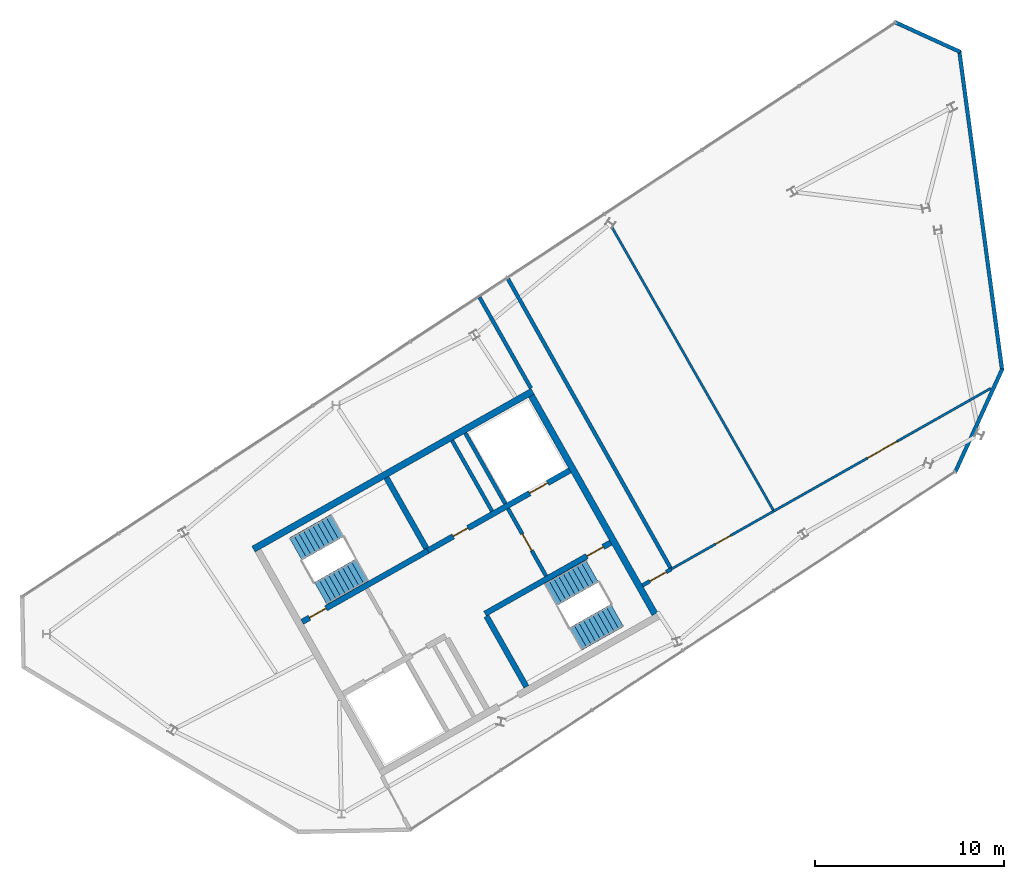
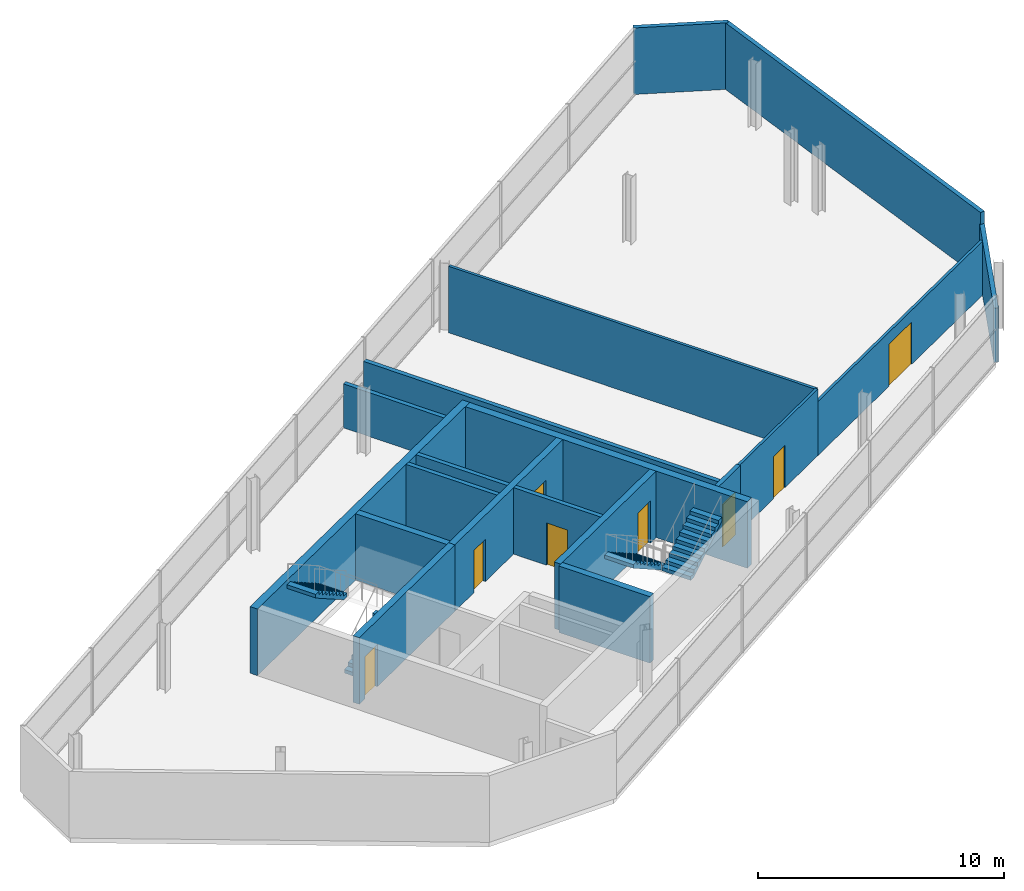
# One storey, part 7 of 8: 19 walls, 8 doors, 4 stair flights, 8 openings, 2 elements without a shape of their own.
"""IFC4 building model written with IfcOpenShell, lengths in metres."""

from ifc_helpers import new_model, si_unit, direction, frame, frame_2d, origin, place, context, subcontext, project, spatial, polyline, rectangle, outline, extrude, material, layer, layer_set, type_object, element, fill, aggregate, save


model = new_model("IFC4")

# Units and contexts
model_context = context("Model", 3, precision=1e-05, world=origin(), true_north=direction((0.0, 1.0)))
body_context = subcontext(model_context, "Body", "Model", "MODEL_VIEW")
ifc_project = project(units=[si_unit("LENGTHUNIT", "METRE"), si_unit("AREAUNIT", "SQUARE_METRE"), si_unit("VOLUMEUNIT", "CUBIC_METRE"), si_unit("PLANEANGLEUNIT", "RADIAN"), si_unit("MASSUNIT", "GRAM", prefix="KILO")], contexts=[model_context])

# Site, building, storey
site_placement = place(None, origin())
site = spatial("IfcSite", under=ifc_project, at=site_placement, CompositionType="ELEMENT")
building_placement = place(site_placement, origin())
building = spatial("IfcBuilding", under=site, at=building_placement, Name="Binnacle Exchange Tower", CompositionType="ELEMENT")
storey_placement = place(building_placement, frame((0.0, 0.0, 357.699951171875)))
storey = spatial("IfcBuildingStorey", under=building, at=storey_placement, Name="L82", CompositionType="ELEMENT", Elevation=357.699951171875)

# Wall, openings, doors
ifc_material_1 = material(Name="Concrete C70/85", Category="concrete")
ifc_layer_1 = layer(ifc_material_1, 0.300048828125)
ifc_layer_set_1 = layer_set([ifc_layer_1], Name="Core wall - front 300")
wall_type_1 = type_object("IfcWallType", Name="Core wall - front 300", PredefinedType="SOLIDWALL", material=ifc_layer_set_1)
wall_1_placement = place(storey_placement, frame((-37.281982421875, 41.4345703125, 0.0), z_axis=(0.0, 0.0, 1.0), x_axis=(0.870364588774, 0.492407841741, 0.0)))
wall_1 = element("IfcWall", 1, at=wall_1_placement, inside=storey, type_object=wall_type_1, Name="Core wall CRWA5", PredefinedType="SOLIDWALL", context=body_context, shape_type="SweptSolid", body=[
    extrude(rectangle(XDim=8.64990234375, YDim=0.300048828125, at=frame_2d((4.324951171875, 0.0))), origin(), (0.0, 0.0, 1.0), 3.300048828125),
])
opening_1_placement = place(wall_1_placement, frame((6.199951171875, 0.0, 0.0)))
opening_1 = element("IfcOpeningElement", 2, at=opening_1_placement, cuts=wall_1, Name="Opening LD13", PredefinedType="OPENING", context=body_context, shape_type="SweptSolid", body=[
    extrude(rectangle(XDim=1.10009765625, YDim=2.10009765625, at=frame_2d((0.550048828125, 1.050048828125))), frame((0.0, 0.159912109375, 0.0), z_axis=(0.0, -1.0, 0.0), x_axis=(1.0, 0.0, 0.0)), (0.0, 0.0, 1.0), 0.320068359375),
])
opening_2_placement = place(wall_1_placement, frame((1.550048828125, 0.0, 0.0)))
opening_2 = element("IfcOpeningElement", 3, at=opening_2_placement, cuts=wall_1, Name="Opening DA10", PredefinedType="OPENING", context=body_context, shape_type="SweptSolid", body=[
    extrude(rectangle(XDim=0.89990234375, YDim=2.10009765625, at=frame_2d((0.449951171875, 1.050048828125))), frame((0.0, 0.159912109375, 0.0), z_axis=(0.0, -1.0, 0.0), x_axis=(1.0, 0.0, 0.0)), (0.0, 0.0, 1.0), 0.320068359375),
])
ifc_material_2 = material(Name="Steel door leaf", Category="steel")
door_type_1 = type_object("IfcDoorType", Name="Fire door - lift landing 1100", OperationType="NOTDEFINED", PredefinedType="DOOR", material=ifc_material_2)
door_1_placement = place(opening_1_placement, origin())
door_1 = element("IfcDoor", 4, at=door_1_placement, inside=storey, type_object=door_type_1, Name="Landing door LD13 L82", OperationType="DOUBLE_DOOR_SLIDING", OverallHeight=2.10009765625, OverallWidth=1.10009765625, PredefinedType="DOOR", context=body_context, shape_type="SweptSolid", body=[
    extrude(rectangle(XDim=1.10009765625, YDim=2.10009765625, at=frame_2d((0.550048828125, 1.050048828125))), frame((0.0, 0.02490234375, 0.0), z_axis=(0.0, -1.0, 0.0), x_axis=(1.0, 0.0, 0.0)), (0.0, 0.0, 1.0), 0.050048828125),
])
fill(opening_1, door_1)
door_type_2 = type_object("IfcDoorType", Name="Fire door 900", OperationType="NOTDEFINED", PredefinedType="DOOR", material=ifc_material_2)
door_2_placement = place(opening_2_placement, origin())
door_2 = element("IfcDoor", 5, at=door_2_placement, inside=storey, type_object=door_type_2, Name="Core room door EQUIPMENT STORE", OperationType="SINGLE_SWING_LEFT", OverallHeight=2.10009765625, OverallWidth=0.89990234375, PredefinedType="DOOR", context=body_context, shape_type="SweptSolid", body=[
    extrude(rectangle(XDim=0.89990234375, YDim=2.10009765625, at=frame_2d((0.449951171875, 1.050048828125))), frame((0.0, 0.02490234375, 0.0), z_axis=(0.0, -1.0, 0.0), x_axis=(1.0, 0.0, 0.0)), (0.0, 0.0, 1.0), 0.050048828125),
])
fill(opening_2, door_2)

# Walls
ifc_layer_2 = layer(ifc_material_1, 0.35009765625)
ifc_layer_set_2 = layer_set([ifc_layer_2], Name="Core wall - outer 350")
wall_type_2 = type_object("IfcWallType", Name="Core wall - outer 350", PredefinedType="SOLIDWALL", material=ifc_layer_set_2)
wall_2_placement = place(storey_placement, frame((-46.5224609375, 41.5205078125, 0.0), z_axis=(0.0, 0.0, 1.0), x_axis=(0.870359753402, 0.492416388494, 0.0)))
element("IfcWall", 6, at=wall_2_placement, inside=storey, type_object=wall_type_2, Name="Core wall CRWA6", PredefinedType="SOLIDWALL", context=body_context, shape_type="SweptSolid", body=[
    extrude(rectangle(XDim=17.0, YDim=0.35009765625, at=frame_2d((8.5, 0.0))), origin(), (0.0, 0.0, 1.0), 3.300048828125),
])
wall_3_placement = place(storey_placement, frame((-31.79248046875, 49.6533203125, 0.0), z_axis=(0.0, 0.0, 1.0), x_axis=(0.492421943245, -0.870356610712, 0.0)))
element("IfcWall", 7, at=wall_3_placement, inside=storey, type_object=wall_type_2, Name="Core wall CRWA22", PredefinedType="SOLIDWALL", context=body_context, shape_type="SweptSolid", body=[
    extrude(rectangle(XDim=13.30029296875, YDim=0.35009765625, at=frame_2d((6.650146484375, 0.0))), origin(), (0.0, 0.0, 1.0), 3.300048828125),
])

# Wall, opening, door
ifc_layer_3 = layer(ifc_material_1, 0.300048828125)
ifc_layer_set_3 = layer_set([ifc_layer_3], Name="Core wall - stair 300")
wall_type_3 = type_object("IfcWallType", Name="Core wall - stair 300", PredefinedType="SOLIDWALL", material=ifc_layer_set_3)
wall_4_placement = place(storey_placement, frame((-34.2451171875, 38.097412109375, 0.0), z_axis=(0.0, 0.0, 1.0), x_axis=(0.870352347706, 0.49242947804, 0.0)))
wall_4 = element("IfcWall", 8, at=wall_4_placement, inside=storey, type_object=wall_type_3, Name="Core wall CRWA3", PredefinedType="SOLIDWALL", context=body_context, shape_type="SweptSolid", body=[
    extrude(rectangle(XDim=7.64990234375, YDim=0.300048828125, at=frame_2d((3.824951171875, 0.0))), origin(), (0.0, 0.0, 1.0), 3.300048828125),
])
opening_3_placement = place(wall_4_placement, frame((6.199951171875, 0.0, 0.0)))
opening_3 = element("IfcOpeningElement", 9, at=opening_3_placement, cuts=wall_4, Name="Opening DA2", PredefinedType="OPENING", context=body_context, shape_type="SweptSolid", body=[
    extrude(rectangle(XDim=1.0, YDim=2.10009765625, at=frame_2d((0.5, 1.050048828125))), frame((0.0, 0.159912109375, 0.0), z_axis=(0.0, -1.0, 0.0), x_axis=(1.0, 0.0, 0.0)), (0.0, 0.0, 1.0), 0.320068359375),
])
door_type_3 = type_object("IfcDoorType", Name="Fire door 1000", OperationType="NOTDEFINED", PredefinedType="DOOR", material=ifc_material_2)
door_3_placement = place(opening_3_placement, frame((1.0, 0.0, 0.0), z_axis=(0.0, 0.0, 1.0), x_axis=(-1.0, 0.0, 0.0)))
door_3 = element("IfcDoor", 10, at=door_3_placement, inside=storey, type_object=door_type_3, Name="Stair door ST-A2", OperationType="SINGLE_SWING_LEFT", OverallHeight=2.10009765625, OverallWidth=1.0, PredefinedType="DOOR", context=body_context, shape_type="SweptSolid", body=[
    extrude(rectangle(XDim=1.0, YDim=2.10009765625, at=frame_2d((0.5, 1.050048828125))), frame((0.0, 0.02490234375, 0.0), z_axis=(0.0, -1.0, 0.0), x_axis=(1.0, 0.0, 0.0)), (0.0, 0.0, 1.0), 0.050048828125),
])
fill(opening_3, door_3)

wall_5_placement = place(storey_placement, frame((-43.940185546875, 37.66748046875, 0.0), z_axis=(0.0, 0.0, 1.0), x_axis=(0.870352347706, 0.49242947804, 0.0)))
wall_5 = element("IfcWall", 11, at=wall_5_placement, inside=storey, type_object=wall_type_3, Name="Core wall CRWA4", PredefinedType="SOLIDWALL", context=body_context, shape_type="SweptSolid", body=[
    extrude(rectangle(XDim=7.64990234375, YDim=0.300048828125, at=frame_2d((3.824951171875, 0.0))), origin(), (0.0, 0.0, 1.0), 3.300048828125),
])
opening_4_placement = place(wall_5_placement, frame((0.449951171875, 0.0, 0.0)))
opening_4 = element("IfcOpeningElement", 12, at=opening_4_placement, cuts=wall_5, Name="Opening DA1", PredefinedType="OPENING", context=body_context, shape_type="SweptSolid", body=[
    extrude(rectangle(XDim=1.0, YDim=2.10009765625, at=frame_2d((0.5, 1.050048828125))), frame((0.0, 0.159912109375, 0.0), z_axis=(0.0, -1.0, 0.0), x_axis=(1.0, 0.0, 0.0)), (0.0, 0.0, 1.0), 0.320068359375),
])
door_4_placement = place(opening_4_placement, origin())
door_4 = element("IfcDoor", 13, at=door_4_placement, inside=storey, type_object=door_type_3, Name="Stair door ST-A1", OperationType="SINGLE_SWING_LEFT", OverallHeight=2.10009765625, OverallWidth=1.0, PredefinedType="DOOR", context=body_context, shape_type="SweptSolid", body=[
    extrude(rectangle(XDim=1.0, YDim=2.10009765625, at=frame_2d((0.5, 1.050048828125))), frame((0.0, 0.02490234375, 0.0), z_axis=(0.0, -1.0, 0.0), x_axis=(1.0, 0.0, 0.0)), (0.0, 0.0, 1.0), 0.050048828125),
])
fill(opening_4, door_4)

# Walls
wall_6_placement = place(storey_placement, frame((-39.473388671875, 45.3076171875, 0.0), z_axis=(0.0, 0.0, 1.0), x_axis=(0.492410799949, -0.870362915164, 0.0)))
element("IfcWall", 14, at=wall_6_placement, inside=storey, type_object=wall_type_3, Name="Core wall CRWA14", PredefinedType="SOLIDWALL", context=body_context, shape_type="SweptSolid", body=[
    extrude(rectangle(XDim=4.300048828125, YDim=0.300048828125, at=frame_2d((2.14990234375, 0.0))), origin(), (0.0, 0.0, 1.0), 3.300048828125),
])
wall_7_placement = place(storey_placement, frame((-34.171142578125, 37.966796875, 0.0), z_axis=(0.0, 0.0, 1.0), x_axis=(0.492435133428, -0.870349147967, 0.0)))
element("IfcWall", 15, at=wall_7_placement, inside=storey, type_object=wall_type_3, Name="Core wall CRWA16", PredefinedType="SOLIDWALL", context=body_context, shape_type="SweptSolid", body=[
    extrude(rectangle(XDim=4.2998046875, YDim=0.300048828125, at=frame_2d((2.14990234375, 0.0))), origin(), (0.0, 0.0, 1.0), 3.300048828125),
])
ifc_material_3 = material(Name="Bronze aluminium louvre", Category="aluminium")
ifc_layer_4 = layer(ifc_material_3, 0.199951171875)
ifc_layer_set_4 = layer_set([ifc_layer_4], Name="External wall - crown louvre 200")
wall_type_4 = type_object("IfcWallType", Name="External wall - crown louvre 200", PredefinedType="STANDARD", material=ifc_layer_set_4)
wall_8_placement = place(storey_placement, frame((-6.834228515625, 51.069091796875, 0.0), z_axis=(0.0, 0.0, 1.0), x_axis=(-0.415043982488, -0.909801347878, 0.0)))
element("IfcWall", 16, at=wall_8_placement, inside=storey, type_object=wall_type_4, Name="External wall EW-C200 L82", PredefinedType="STANDARD", context=body_context, shape_type="SweptSolid", body=[
    extrude(rectangle(XDim=6.030517578125, YDim=0.199951171875, at=frame_2d((3.01513671875, 0.0))), origin(), (0.0, 0.0, 1.0), 2.699951171875),
])
wall_9_placement = place(storey_placement, frame((-9.113525390625, 67.94677734375, 0.0), z_axis=(0.0, 0.0, 1.0), x_axis=(0.132931254717, -0.991125260257, 0.0)))
element("IfcWall", 17, at=wall_9_placement, inside=storey, type_object=wall_type_4, Name="External wall EW-C201 L82", PredefinedType="STANDARD", context=body_context, shape_type="SweptSolid", body=[
    extrude(rectangle(XDim=17.083984375, YDim=0.199951171875, at=frame_2d((8.5419921875, 0.0))), origin(), (0.0, 0.0, 1.0), 3.300048828125),
])
wall_10_placement = place(storey_placement, frame((-12.5732421875, 69.4736328125, 0.0), z_axis=(0.0, 0.0, 1.0), x_axis=(0.909798966616, -0.415049202318, 0.0)))
element("IfcWall", 18, at=wall_10_placement, inside=storey, type_object=wall_type_4, Name="External wall EW-C202 L82", PredefinedType="STANDARD", context=body_context, shape_type="SweptSolid", body=[
    extrude(rectangle(XDim=3.86572265625, YDim=0.199951171875, at=frame_2d((1.932861328125, 0.0))), origin(), (0.0, 0.0, 1.0), 3.300048828125),
])
ifc_material_4 = material(Name="Masonry block wall", Category="masonry")
ifc_layer_5 = layer(ifc_material_4, 0.199951171875)
ifc_layer_set_5 = layer_set([ifc_layer_5], Name="Fire wall - block 200")
wall_type_5 = type_object("IfcWallType", Name="Fire wall - block 200", PredefinedType="PARTITIONING", material=ifc_layer_set_5)
wall_11_placement = place(storey_placement, frame((-34.5439453125, 54.873046875, 0.0), z_axis=(0.0, 0.0, 1.0), x_axis=(0.492390708412, -0.870374281714, 0.0)))
element("IfcWall", 19, at=wall_11_placement, inside=storey, type_object=wall_type_5, Name="Partition W02", PredefinedType="PARTITIONING", context=body_context, shape_type="SweptSolid", body=[
    extrude(rectangle(XDim=5.54833984375, YDim=0.199951171875, at=frame_2d((2.774169921875, 0.0))), origin(), (0.0, 0.0, 1.0), 2.179931640625),
])
wall_12_placement = place(storey_placement, frame((-33.0419921875, 55.860107421875, 0.0), z_axis=(0.0, 0.0, 1.0), x_axis=(0.490288138745, -0.871560405828, 0.0)))
element("IfcWall", 20, at=wall_12_placement, inside=storey, type_object=wall_type_5, Name="Partition W03", PredefinedType="PARTITIONING", context=body_context, shape_type="SweptSolid", body=[
    extrude(rectangle(XDim=17.66748046875, YDim=0.199951171875, at=frame_2d((8.833740234375, 0.0))), origin(), (0.0, 0.0, 1.0), 2.179931640625),
])

# Wall, opening, door
wall_13_placement = place(storey_placement, frame((-25.904052734375, 39.60009765625, 0.0), z_axis=(0.0, 0.0, 1.0), x_axis=(0.870482323294, 0.492199679838, 0.0)))
wall_13 = element("IfcWall", 21, at=wall_13_placement, inside=storey, type_object=wall_type_5, Name="Partition W05", PredefinedType="PARTITIONING", context=body_context, shape_type="SweptSolid", body=[
    extrude(rectangle(XDim=1.7509765625, YDim=0.199951171875, at=frame_2d((0.87548828125, 0.0))), origin(), (0.0, 0.0, 1.0), 3.300048828125),
])
opening_5_placement = place(wall_13_placement, frame((0.449951171875, 0.0, 0.0)))
opening_5 = element("IfcOpeningElement", 22, at=opening_5_placement, cuts=wall_13, Name="Opening DL81-01", PredefinedType="OPENING", context=body_context, shape_type="SweptSolid", body=[
    extrude(rectangle(XDim=1.0, YDim=2.10009765625, at=frame_2d((0.5, 1.050048828125))), frame((0.0, 0.10986328125, 0.0), z_axis=(0.0, -1.0, 0.0), x_axis=(1.0, 0.0, 0.0)), (0.0, 0.0, 1.0), 0.219970703125),
])
door_5_placement = place(opening_5_placement, origin())
door_5 = element("IfcDoor", 23, at=door_5_placement, inside=storey, type_object=door_type_3, Name="Door DL81-01", OperationType="SINGLE_SWING_RIGHT", OverallHeight=2.10009765625, OverallWidth=1.0, PredefinedType="DOOR", context=body_context, shape_type="SweptSolid", body=[
    extrude(rectangle(XDim=1.0, YDim=2.10009765625, at=frame_2d((0.5, 1.050048828125))), frame((0.0, 0.02490234375, 0.0), z_axis=(0.0, -1.0, 0.0), x_axis=(1.0, 0.0, 0.0)), (0.0, 0.0, 1.0), 0.050048828125),
])
fill(opening_5, door_5)

ifc_layer_6 = layer(ifc_material_4, 0.199951171875)
ifc_layer_set_6 = layer_set([ifc_layer_6], Name="Fire wall - vestibule 200")
wall_type_6 = type_object("IfcWallType", Name="Fire wall - vestibule 200", PredefinedType="PARTITIONING", material=ifc_layer_set_6)
wall_14_placement = place(storey_placement, frame((-33.030517578125, 43.66748046875, 0.0), z_axis=(0.0, 0.0, 1.0), x_axis=(0.492408451753, -0.87036424366, 0.0)))
wall_14 = element("IfcWall", 24, at=wall_14_placement, inside=storey, type_object=wall_type_6, Name="Core wall CRWA19", PredefinedType="PARTITIONING", context=body_context, shape_type="SweptSolid", body=[
    extrude(rectangle(XDim=4.099853515625, YDim=0.199951171875, at=frame_2d((2.0498046875, 0.0))), origin(), (0.0, 0.0, 1.0), 3.300048828125),
])
opening_6_placement = place(wall_14_placement, frame((1.550048828125, 0.0, 0.0)))
opening_6 = element("IfcOpeningElement", 25, at=opening_6_placement, cuts=wall_14, Name="Opening DA4", PredefinedType="OPENING", context=body_context, shape_type="SweptSolid", body=[
    extrude(rectangle(XDim=1.0, YDim=2.10009765625, at=frame_2d((0.5, 1.050048828125))), frame((0.0, 0.10986328125, 0.0), z_axis=(0.0, -1.0, 0.0), x_axis=(1.0, 0.0, 0.0)), (0.0, 0.0, 1.0), 0.219970703125),
])
door_6_placement = place(opening_6_placement, origin())
door_6 = element("IfcDoor", 26, at=door_6_placement, inside=storey, type_object=door_type_3, Name="Vestibule door VEST-E", OperationType="SINGLE_SWING_RIGHT", OverallHeight=2.10009765625, OverallWidth=1.0, PredefinedType="DOOR", context=body_context, shape_type="SweptSolid", body=[
    extrude(rectangle(XDim=1.0, YDim=2.10009765625, at=frame_2d((0.5, 1.050048828125))), frame((0.0, 0.02490234375, 0.0), z_axis=(0.0, -1.0, 0.0), x_axis=(1.0, 0.0, 0.0)), (0.0, 0.0, 1.0), 0.050048828125),
])
fill(opening_6, door_6)

# Wall
ifc_material_5 = material(Name="Gypsum partition")
ifc_layer_7 = layer(ifc_material_5, 0.125)
ifc_layer_set_7 = layer_set([ifc_layer_7], Name="Partition 125")
wall_type_7 = type_object("IfcWallType", Name="Partition 125", PredefinedType="PARTITIONING", material=ifc_layer_set_7)
wall_15_placement = place(storey_placement, frame((-27.510986328125, 58.56396484375, 0.0), z_axis=(0.0, 0.0, 1.0), x_axis=(0.495459338806, -0.868631132063, 0.0)))
element("IfcWall", 27, at=wall_15_placement, inside=storey, type_object=wall_type_7, Name="Partition W04", PredefinedType="PARTITIONING", context=body_context, shape_type="SweptSolid", body=[
    extrude(rectangle(XDim=17.297119140625, YDim=0.125, at=frame_2d((8.6484375, 0.0))), origin(), (0.0, 0.0, 1.0), 3.300048828125),
])

# Wall, opening, door
wall_16_placement = place(storey_placement, frame((-24.3798828125, 40.4619140625, 0.0), z_axis=(0.0, 0.0, 1.0), x_axis=(0.87036048388, 0.492415097353, 0.0)))
wall_16 = element("IfcWall", 28, at=wall_16_placement, inside=storey, type_object=wall_type_7, Name="Partition W06", PredefinedType="PARTITIONING", context=body_context, shape_type="SweptSolid", body=[
    extrude(rectangle(XDim=6.2490234375, YDim=0.125, at=frame_2d((3.12451171875, 0.0))), origin(), (0.0, 0.0, 1.0), 3.300048828125),
])
opening_7_placement = place(wall_16_placement, frame((2.699951171875, 0.0, 0.0)))
opening_7 = element("IfcOpeningElement", 29, at=opening_7_placement, cuts=wall_16, Name="Opening DL81-02", PredefinedType="OPENING", context=body_context, shape_type="SweptSolid", body=[
    extrude(rectangle(XDim=0.89990234375, YDim=2.10009765625, at=frame_2d((0.449951171875, 1.050048828125))), frame((0.0, 0.072509765625, 0.0), z_axis=(0.0, -1.0, 0.0), x_axis=(1.0, 0.0, 0.0)), (0.0, 0.0, 1.0), 0.14501953125),
])
ifc_material_6 = material(Name="Timber door leaf", Category="wood")
door_type_4 = type_object("IfcDoorType", Name="Door 900", OperationType="NOTDEFINED", PredefinedType="DOOR", material=ifc_material_6)
door_7_placement = place(opening_7_placement, origin())
door_7 = element("IfcDoor", 30, at=door_7_placement, inside=storey, type_object=door_type_4, Name="Door DL81-02", OperationType="SINGLE_SWING_RIGHT", OverallHeight=2.10009765625, OverallWidth=0.89990234375, PredefinedType="DOOR", context=body_context, shape_type="SweptSolid", body=[
    extrude(rectangle(XDim=0.89990234375, YDim=2.10009765625, at=frame_2d((0.449951171875, 1.050048828125))), frame((0.0, 0.02490234375, 0.0), z_axis=(0.0, -1.0, 0.0), x_axis=(1.0, 0.0, 0.0)), (0.0, 0.0, 1.0), 0.050048828125),
])
fill(opening_7, door_7)

wall_17_placement = place(storey_placement, frame((-18.94091796875, 43.5390625, 0.0), z_axis=(0.0, 0.0, 1.0), x_axis=(0.870355301806, 0.492424256733, 0.0)))
wall_17 = element("IfcWall", 31, at=wall_17_placement, inside=storey, type_object=wall_type_7, Name="Partition W07", PredefinedType="PARTITIONING", context=body_context, shape_type="SweptSolid", body=[
    extrude(rectangle(XDim=13.21630859375, YDim=0.125, at=frame_2d((6.608154296875, 0.0))), origin(), (0.0, 0.0, 1.0), 2.679931640625),
])
opening_8_placement = place(wall_17_placement, frame((5.699951171875, 0.0, 0.0)))
opening_8 = element("IfcOpeningElement", 32, at=opening_8_placement, cuts=wall_17, Name="Opening DL81-03", PredefinedType="OPENING", context=body_context, shape_type="SweptSolid", body=[
    extrude(rectangle(XDim=1.800048828125, YDim=2.10009765625, at=frame_2d((0.89990234375, 1.050048828125))), frame((0.0, 0.072509765625, 0.0), z_axis=(0.0, -1.0, 0.0), x_axis=(1.0, 0.0, 0.0)), (0.0, 0.0, 1.0), 0.14501953125),
])
door_type_5 = type_object("IfcDoorType", Name="Double door 1800", OperationType="NOTDEFINED", PredefinedType="DOOR", material=ifc_material_6)
door_8_placement = place(opening_8_placement, origin())
door_8 = element("IfcDoor", 33, at=door_8_placement, inside=storey, type_object=door_type_5, Name="Door DL81-03", OperationType="DOUBLE_DOOR_SINGLE_SWING", OverallHeight=2.10009765625, OverallWidth=1.800048828125, PredefinedType="DOOR", context=body_context, shape_type="SweptSolid", body=[
    extrude(rectangle(XDim=1.800048828125, YDim=2.10009765625, at=frame_2d((0.89990234375, 1.050048828125))), frame((0.0, 0.02490234375, 0.0), z_axis=(0.0, -1.0, 0.0), x_axis=(1.0, 0.0, 0.0)), (0.0, 0.0, 1.0), 0.050048828125),
])
fill(opening_8, door_8)

# Walls
ifc_layer_8 = layer(ifc_material_4, 0.199951171875)
ifc_layer_set_8 = layer_set([ifc_layer_8], Name="Riser wall 200")
wall_type_8 = type_object("IfcWallType", Name="Riser wall 200", PredefinedType="SOLIDWALL", material=ifc_layer_set_8)
wall_18_placement = place(storey_placement, frame((-35.991943359375, 47.27734375, 0.0), z_axis=(0.0, 0.0, 1.0), x_axis=(0.492410799949, -0.870362915164, 0.0)))
element("IfcWall", 34, at=wall_18_placement, inside=storey, type_object=wall_type_8, Name="Core wall CRWA18", PredefinedType="SOLIDWALL", context=body_context, shape_type="SweptSolid", body=[
    extrude(rectangle(XDim=4.300048828125, YDim=0.199951171875, at=frame_2d((2.14990234375, 0.0))), origin(), (0.0, 0.0, 1.0), 3.300048828125),
])
wall_19_placement = place(storey_placement, frame((-35.295654296875, 47.671142578125, 0.0), z_axis=(0.0, 0.0, 1.0), x_axis=(0.492435133428, -0.870349147967, 0.0)))
element("IfcWall", 35, at=wall_19_placement, inside=storey, type_object=wall_type_8, Name="Core wall CRWA20", PredefinedType="SOLIDWALL", context=body_context, shape_type="SweptSolid", body=[
    extrude(rectangle(XDim=4.2998046875, YDim=0.199951171875, at=frame_2d((2.14990234375, 0.0))), origin(), (0.0, 0.0, 1.0), 3.300048828125),
])

# Stair, stair flights
ifc_material_7 = material(Name="Concrete C35/45", Category="concrete")
stair_type = type_object("IfcStairType", Name="STAIR 20 RISERS 180", PredefinedType="HALF_TURN_STAIR", material=ifc_material_7)
stair_1_placement = place(storey_placement, origin())
stair_1 = element("IfcStair", 36, at=stair_1_placement, inside=storey, type_object=stair_type, Name="L82 Escape stair A1", PredefinedType="HALF_TURN_STAIR")
stair_flight_type = type_object("IfcStairFlightType", Name="STAIR FLIGHT 180X280", PredefinedType="STRAIGHT", material=ifc_material_7)
stair_flight_1_placement = place(storey_placement, frame((-42.9541015625, 39.17333984375, 0.0), z_axis=(0.0, 0.0, 1.0), x_axis=(0.870355584213, 0.492423757581, 0.0)))
stair_flight_1 = element("IfcStairFlight", 37, at=stair_flight_1_placement, type_object=stair_flight_type, Name="STA1 flight 1", NumberOfRisers=10, NumberOfTreads=9, PredefinedType="STRAIGHT", RiserHeight=0.18, TreadLength=0.28, context=body_context, shape_type="SweptSolid", body=[
    extrude(outline(polyline([(0.0, 0.0), (0.0, 0.179931640625), (0.280029296875, 0.179931640625), (0.280029296875, 0.360107421875), (0.56005859375, 0.360107421875), (0.56005859375, 0.5400390625), (0.840087890625, 0.5400390625), (0.840087890625, 0.719970703125), (1.1201171875, 0.719970703125), (1.1201171875, 0.89990234375), (1.39990234375, 0.89990234375), (1.39990234375, 1.080078125), (1.679931640625, 1.080078125), (1.679931640625, 1.260009765625), (1.9599609375, 1.260009765625), (1.9599609375, 1.43994140625), (2.239990234375, 1.43994140625), (2.239990234375, 1.6201171875), (2.52001953125, 1.6201171875), (2.52001953125, 1.800048828125), (2.52001953125, 1.44189453125), (0.277099609375, 0.0), (0.0, 0.0)])), frame((0.0, 0.675048828125, 0.0), z_axis=(0.0, -1.0, 0.0), x_axis=(1.0, 0.0, 0.0)), (0.0, 0.0, 1.0), 1.35009765625),
])
stair_flight_2_placement = place(storey_placement, frame((-42.09033203125, 42.76416015625, 1.800048828125), z_axis=(0.0, 0.0, 1.0), x_axis=(-0.870355584213, -0.492423757581, 0.0)))
stair_flight_2 = element("IfcStairFlight", 38, at=stair_flight_2_placement, type_object=stair_flight_type, Name="STA1 flight 2", NumberOfRisers=10, NumberOfTreads=9, PredefinedType="STRAIGHT", RiserHeight=0.18, TreadLength=0.28, context=body_context, shape_type="SweptSolid", body=[
    extrude(outline(polyline([(0.0, 0.0), (0.0, 0.179931640625), (0.280029296875, 0.179931640625), (0.280029296875, 0.360107421875), (0.56005859375, 0.360107421875), (0.56005859375, 0.5400390625), (0.840087890625, 0.5400390625), (0.840087890625, 0.719970703125), (1.1201171875, 0.719970703125), (1.1201171875, 0.89990234375), (1.39990234375, 0.89990234375), (1.39990234375, 1.080078125), (1.679931640625, 1.080078125), (1.679931640625, 1.260009765625), (1.9599609375, 1.260009765625), (1.9599609375, 1.43994140625), (2.239990234375, 1.43994140625), (2.239990234375, 1.6201171875), (2.52001953125, 1.6201171875), (2.52001953125, 1.800048828125), (2.52001953125, 1.44189453125), (0.277099609375, 0.0), (0.0, 0.0)])), frame((0.0, 0.675048828125, 0.0), z_axis=(0.0, -1.0, 0.0), x_axis=(1.0, 0.0, 0.0)), (0.0, 0.0, 1.0), 1.35009765625),
])
aggregate(stair_1, [stair_flight_1, stair_flight_2])

stair_2_placement = place(storey_placement, origin())
stair_2 = element("IfcStair", 39, at=stair_2_placement, inside=storey, type_object=stair_type, Name="L82 Escape stair A2", PredefinedType="HALF_TURN_STAIR")
stair_flight_3_placement = place(storey_placement, frame((-28.5732421875, 40.3583984375, 0.0), z_axis=(0.0, 0.0, 1.0), x_axis=(-0.870355584213, -0.492423757581, 0.0)))
stair_flight_3 = element("IfcStairFlight", 40, at=stair_flight_3_placement, type_object=stair_flight_type, Name="STA2 flight 1", NumberOfRisers=10, NumberOfTreads=9, PredefinedType="STRAIGHT", RiserHeight=0.18, TreadLength=0.28, context=body_context, shape_type="SweptSolid", body=[
    extrude(outline(polyline([(0.0, 0.0), (0.0, 0.179931640625), (0.280029296875, 0.179931640625), (0.280029296875, 0.360107421875), (0.56005859375, 0.360107421875), (0.56005859375, 0.5400390625), (0.840087890625, 0.5400390625), (0.840087890625, 0.719970703125), (1.1201171875, 0.719970703125), (1.1201171875, 0.89990234375), (1.39990234375, 0.89990234375), (1.39990234375, 1.080078125), (1.679931640625, 1.080078125), (1.679931640625, 1.260009765625), (1.9599609375, 1.260009765625), (1.9599609375, 1.43994140625), (2.239990234375, 1.43994140625), (2.239990234375, 1.6201171875), (2.52001953125, 1.6201171875), (2.52001953125, 1.800048828125), (2.52001953125, 1.44189453125), (0.277099609375, 0.0), (0.0, 0.0)])), frame((0.0, 0.675048828125, 0.0), z_axis=(0.0, -1.0, 0.0), x_axis=(1.0, 0.0, 0.0)), (0.0, 0.0, 1.0), 1.35009765625),
])
stair_flight_4_placement = place(storey_placement, frame((-29.43701171875, 36.767578125, 1.800048828125), z_axis=(0.0, 0.0, 1.0), x_axis=(0.870355584213, 0.492423757581, 0.0)))
stair_flight_4 = element("IfcStairFlight", 41, at=stair_flight_4_placement, type_object=stair_flight_type, Name="STA2 flight 2", NumberOfRisers=10, NumberOfTreads=9, PredefinedType="STRAIGHT", RiserHeight=0.18, TreadLength=0.28, context=body_context, shape_type="SweptSolid", body=[
    extrude(outline(polyline([(0.0, 0.0), (0.0, 0.179931640625), (0.280029296875, 0.179931640625), (0.280029296875, 0.360107421875), (0.56005859375, 0.360107421875), (0.56005859375, 0.5400390625), (0.840087890625, 0.5400390625), (0.840087890625, 0.719970703125), (1.1201171875, 0.719970703125), (1.1201171875, 0.89990234375), (1.39990234375, 0.89990234375), (1.39990234375, 1.080078125), (1.679931640625, 1.080078125), (1.679931640625, 1.260009765625), (1.9599609375, 1.260009765625), (1.9599609375, 1.43994140625), (2.239990234375, 1.43994140625), (2.239990234375, 1.6201171875), (2.52001953125, 1.6201171875), (2.52001953125, 1.800048828125), (2.52001953125, 1.44189453125), (0.277099609375, 0.0), (0.0, 0.0)])), frame((0.0, 0.675048828125, 0.0), z_axis=(0.0, -1.0, 0.0), x_axis=(1.0, 0.0, 0.0)), (0.0, 0.0, 1.0), 1.35009765625),
])
aggregate(stair_2, [stair_flight_3, stair_flight_4])

save(model, "model.ifc")
